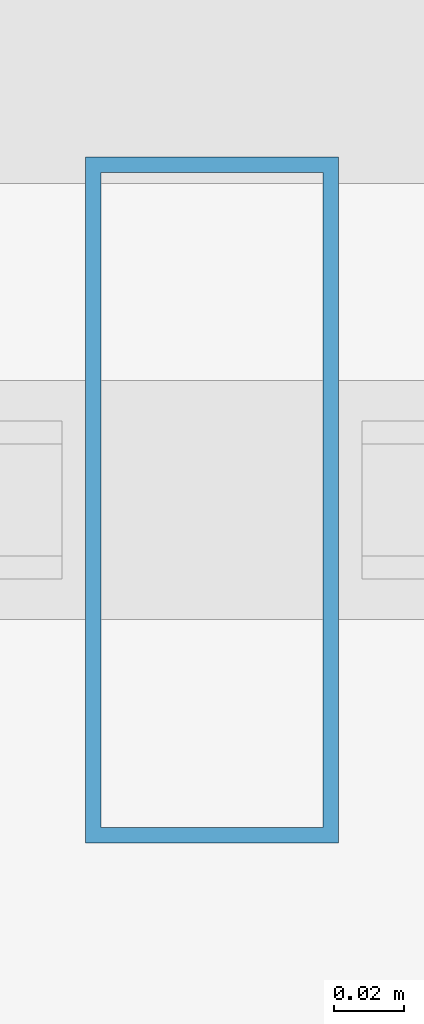
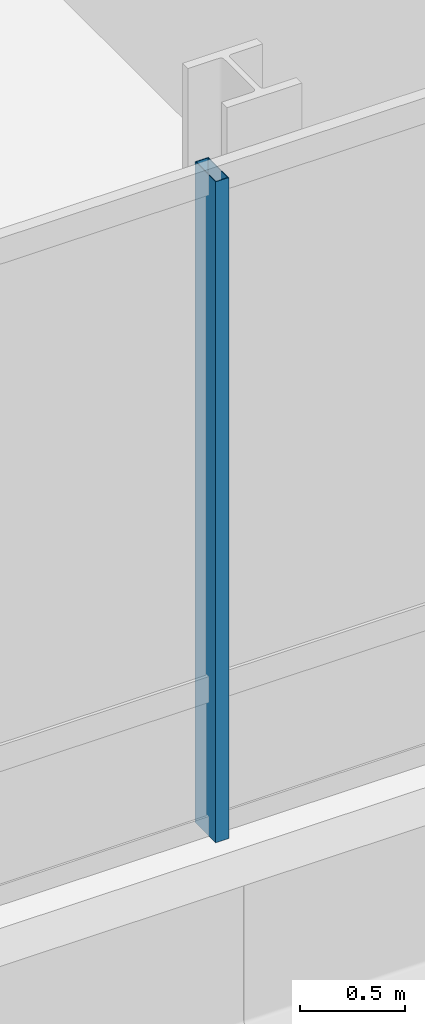
# One storey, part 6 of 36: 1 member, 1 element without a shape of its own.
"""IFC4 building model written with IfcOpenShell, lengths in metres."""

from ifc_helpers import new_model, si_unit, direction, frame, origin, origin_2d, place, context, subcontext, project, spatial, hollow_rectangle, extrude, material, material_profile, profile_set, type_object, element, aggregate, save


model = new_model("IFC4")

# Units and contexts
model_context = context("Model", 3, precision=1e-05, world=origin(), true_north=direction((0.0, 1.0)))
body_context = subcontext(model_context, "Body", "Model", "MODEL_VIEW")
ifc_project = project(units=[si_unit("LENGTHUNIT", "METRE"), si_unit("AREAUNIT", "SQUARE_METRE"), si_unit("VOLUMEUNIT", "CUBIC_METRE"), si_unit("PLANEANGLEUNIT", "RADIAN"), si_unit("MASSUNIT", "GRAM", prefix="KILO")], contexts=[model_context])

# Site, building, storey
site_placement = place(None, origin())
site = spatial("IfcSite", under=ifc_project, at=site_placement, CompositionType="ELEMENT")
building_placement = place(site_placement, origin())
building = spatial("IfcBuilding", under=site, at=building_placement, Name="Punatoya Terracotta Tower", CompositionType="ELEMENT")
storey_placement = place(building_placement, frame((0.0, 0.0, 196.5)))
storey = spatial("IfcBuildingStorey", under=building, at=storey_placement, Name="L46", CompositionType="ELEMENT", Elevation=196.5)

# Curtain wall, member
ifc_material_1 = material(Name="Aluminium 6063-T6 + Double Low-E Glass", Category="aluminium")
curtain_wall_type = type_object("IfcCurtainWallType", Name="CW-M2", PredefinedType="NOTDEFINED", material=ifc_material_1)
curtain_wall_placement = place(storey_placement, origin())
curtain_wall = element("IfcCurtainWall", 1, at=curtain_wall_placement, inside=storey, type_object=curtain_wall_type, Name="L46 Curtain Wall CW-L46-S01-1", PredefinedType="NOTDEFINED")
ifc_material_2 = material(Name="Aluminium 6063-T6", Category="aluminium")
ifc_material_profile = material_profile(ifc_material_2, hollow_rectangle(XDim=0.072021484375, YDim=0.195068359375, WallThickness=0.00439453125, at=origin_2d()))
ifc_profile_set = profile_set([ifc_material_profile], Name="Aluminium 6063-T6")
member_type = type_object("IfcMemberType", Name="CW-MUL-M2", PredefinedType="MULLION", material=ifc_profile_set)
member_placement = place(storey_placement, frame((-4.1669921875, -23.25, 0.0), z_axis=(0.0, 0.0, 1.0), x_axis=(1.0, 0.0, 0.0)))
member = element("IfcMember", 2, at=member_placement, type_object=member_type, Name="CW-L46-S01-1 Mullion 05", PredefinedType="MULLION", context=body_context, shape_type="SweptSolid", body=[
    extrude(hollow_rectangle(XDim=0.072021484375, YDim=0.195068359375, WallThickness=0.00439453125, at=origin_2d()), origin(), (0.0, 0.0, 1.0), 3.830078125),
])
aggregate(curtain_wall, [member])

save(model, "model.ifc")
